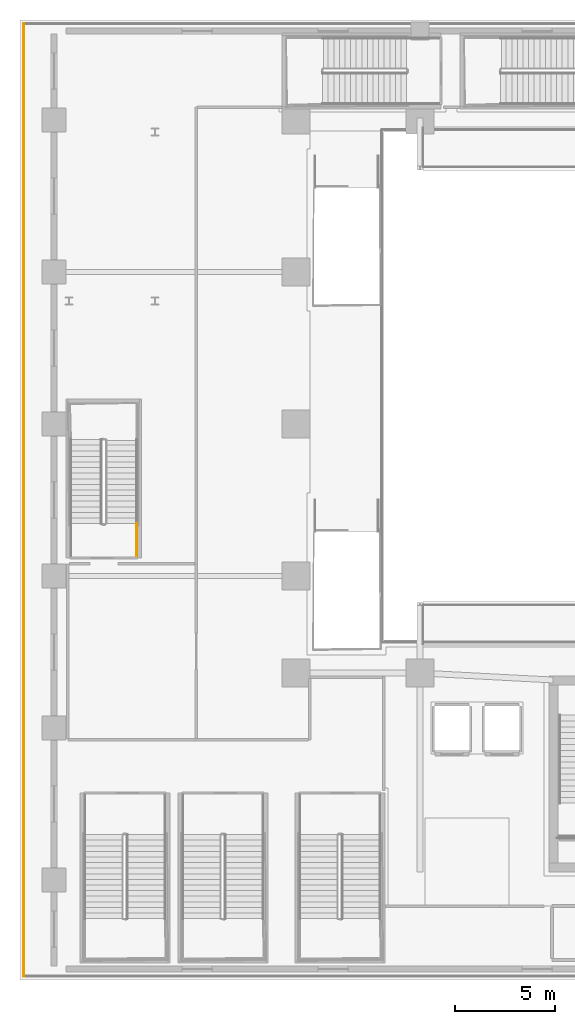
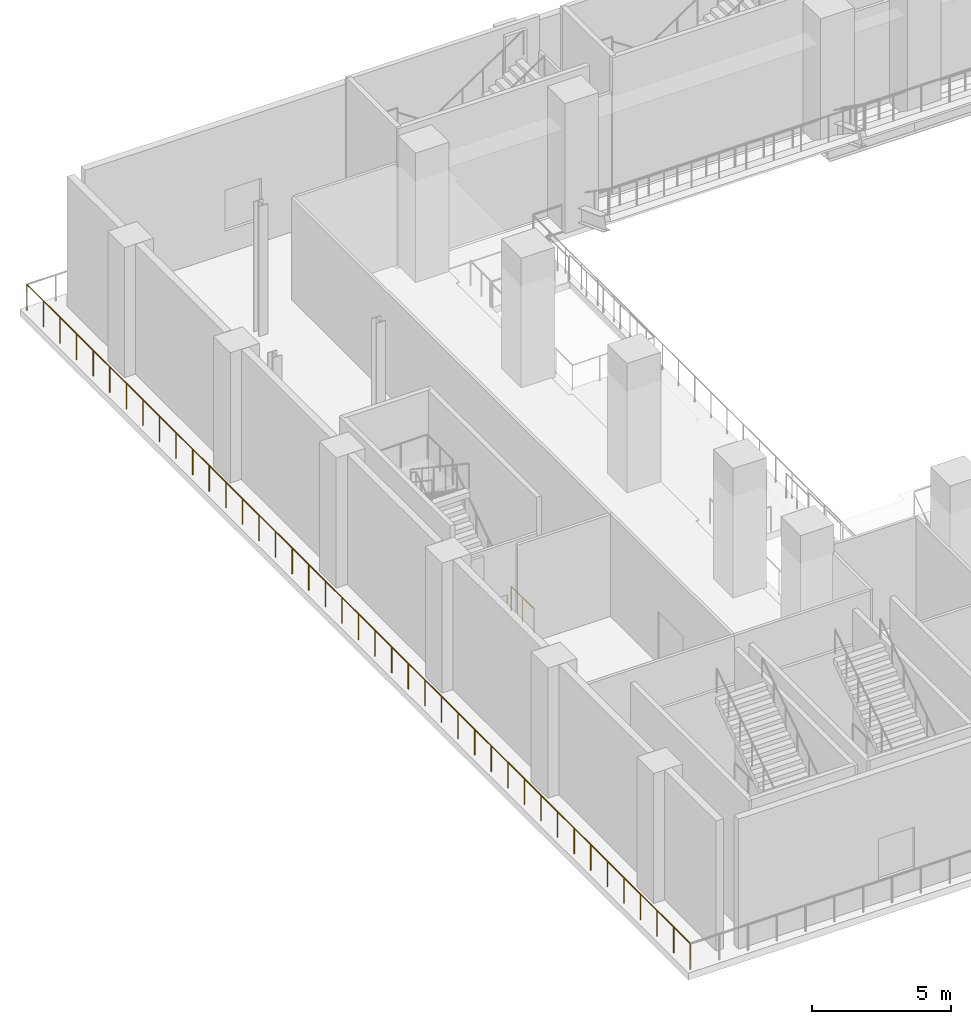
# One storey, part 16 of 28: 2 railings.
"""IFC4 building model written with IfcOpenShell, lengths in metres."""

import ifcopenshell
import ifcopenshell.guid

model = None  # the IFC model being written
_history = None  # IfcOwnerHistory: only IFC2X3 demands one
_inside = {}  # id of a spatial element -> (the spatial element, [elements in it])
_under = {}  # id of a project, library or spatial element -> (it, [spatial elements below it])
_declared = {}  # id of a project -> (the project, [libraries it declares])
_typed = {}  # id of a type object -> (the type object, [elements of that type])
_made_of = {}  # id of a material, layer set ... -> (it, [elements and type objects made of it])


def new_model(schema):
    """Start an empty IFC model of exactly this schema.

    Asked for "IFC4X3", IfcOpenShell would pick the latest addendum, in which some entities
    have other attributes; the version numbers below select the first issue.
    IFC2X3 requires an IfcOwnerHistory on every rooted entity: one is made here for all.
    """
    global model, _history
    if schema == "IFC4X3":
        model = ifcopenshell.file(schema_version=(4, 3, 0, 0))
    else:
        model = ifcopenshell.file(schema=schema)
    _inside.clear()
    _under.clear()
    _declared.clear()
    _typed.clear()
    _made_of.clear()
    _history = None
    if model.schema == "IFC2X3":
        org = make("IfcOrganization", Name="unknown")
        user = make(
            "IfcPersonAndOrganization",
            ThePerson=make("IfcPerson", FamilyName="unknown"),
            TheOrganization=org,
        )
        app = make(
            "IfcApplication",
            ApplicationDeveloper=org,
            Version="unknown",
            ApplicationFullName="unknown",
            ApplicationIdentifier="unknown",
        )
        _history = make(
            "IfcOwnerHistory",
            OwningUser=user,
            OwningApplication=app,
            ChangeAction="ADDED",
            CreationDate=0,
        )
    return model


def make(cls, **values):
    """One entity of the class cls with the attributes given. An attribute that is None is left unset."""
    return model.create_entity(
        cls, **{name: value for name, value in values.items() if value is not None}
    )


def rooted(cls, **values):
    """An entity with a GlobalId (a new one), such as an element, a storey or a relation."""
    return make(cls, GlobalId=ifcopenshell.guid.new(), OwnerHistory=_history, **values)


def si_unit(unit_type, name, prefix=None):
    """IfcSIUnit, for example si_unit("LENGTHUNIT", "METRE", prefix="MILLI")."""
    return make("IfcSIUnit", UnitType=unit_type, Prefix=prefix, Name=name)


def assignment(units):
    """IfcUnitAssignment: the units of a project."""
    return None if units is None else make("IfcUnitAssignment", Units=units)


def point(xyz):
    """IfcCartesianPoint."""
    return None if xyz is None else make("IfcCartesianPoint", Coordinates=xyz)


def direction(xyz):
    """IfcDirection."""
    return None if xyz is None else make("IfcDirection", DirectionRatios=xyz)


def frame(location, z_axis=None, x_axis=None):
    """IfcAxis2Placement3D, a coordinate frame: its origin and axes. An axis left out is left unset."""
    return make(
        "IfcAxis2Placement3D",
        Location=point(location),
        Axis=direction(z_axis),
        RefDirection=direction(x_axis),
    )


def frame_2d(location, x_axis=None):
    """IfcAxis2Placement2D, a coordinate frame in the plane: its origin and x axis."""
    return make(
        "IfcAxis2Placement2D", Location=point(location), RefDirection=direction(x_axis)
    )


def origin():
    """The frame at (0, 0, 0) with its axes left unset."""
    return frame((0.0, 0.0, 0.0))


def origin_2d():
    """The frame at (0, 0) in the plane with its x axis left unset."""
    return frame_2d((0.0, 0.0))


def place(relative_to, where):
    """IfcLocalPlacement: puts the frame where relative to a parent placement (None: the world)."""
    return make(
        "IfcLocalPlacement", PlacementRelTo=relative_to, RelativePlacement=where
    )


def context(
    kind, dimensions, precision=None, world=None, true_north=None, identifier=None
):
    """IfcGeometricRepresentationContext, for example the 3D "Model" context."""
    return make(
        "IfcGeometricRepresentationContext",
        ContextIdentifier=identifier,
        ContextType=kind,
        CoordinateSpaceDimension=dimensions,
        Precision=precision,
        WorldCoordinateSystem=world,
        TrueNorth=true_north,
    )


def subcontext(parent, identifier, kind, view, scale=None):
    """IfcGeometricRepresentationSubContext, for example "Body" below "Model"."""
    return make(
        "IfcGeometricRepresentationSubContext",
        ContextIdentifier=identifier,
        ContextType=kind,
        ParentContext=parent,
        TargetScale=scale,
        TargetView=view,
    )


def project(units=None, contexts=None):
    """IfcProject with its units and contexts."""
    return rooted(
        "IfcProject",
        Name="project",
        RepresentationContexts=contexts,
        UnitsInContext=assignment(units),
    )


def spatial(cls, under=None, at=None, **own):
    """A site, building, storey or space (cls), placed at a placement, below another one or the project."""
    s = rooted(cls, ObjectPlacement=at, **own)
    if under is not None:
        _under.setdefault(under.id(), (under, []))[1].append(s)
    return s


def profile(cls, at=None, kind="AREA", **sizes):
    """A parametric profile (cls). Its sizes go by their IFC names, for example OverallWidth=200.0."""
    return make(cls, ProfileType=kind, Position=at, **sizes)


def circle(**sizes):
    """IfcCircleProfileDef."""
    return profile("IfcCircleProfileDef", **sizes)


def extrude(swept, where, along, depth):
    """IfcExtrudedAreaSolid: the profile swept, set in the frame where, extruded along a direction by depth."""
    return make(
        "IfcExtrudedAreaSolid",
        SweptArea=swept,
        Position=where,
        ExtrudedDirection=direction(along),
        Depth=depth,
    )


def shape(context_of_items, identifier, shape_type, items):
    """IfcShapeRepresentation: the items that make up one representation, for example the "Body"."""
    return make(
        "IfcShapeRepresentation",
        ContextOfItems=context_of_items,
        RepresentationIdentifier=identifier,
        RepresentationType=shape_type,
        Items=items,
    )


def material(Name=None, Category=None):
    """IfcMaterial."""
    return make("IfcMaterial", Name=Name, Category=Category)


def layer(
    of_material, thickness, ventilated=None, Name=None, Category=None, Priority=None
):
    """IfcMaterialLayer: one layer of a wall or slab, of a material (None: an air gap)."""
    return make(
        "IfcMaterialLayer",
        Material=of_material,
        LayerThickness=thickness,
        IsVentilated=ventilated,
        Name=Name,
        Category=Category,
        Priority=Priority,
    )


def layer_set(layers, Name=None):
    """IfcMaterialLayerSet."""
    return make("IfcMaterialLayerSet", MaterialLayers=layers, LayerSetName=Name)


def made_of(thing, what):
    """Note that an element or type object is made of a material, layer set ...; save() writes the relation."""
    if what is not None:
        _made_of.setdefault(what.id(), (what, []))[1].append(thing)
    return thing


def type_object(cls, material=None, **own):
    """A type object (cls), such as IfcWallType, which elements share."""
    return made_of(rooted(cls, **own), material)


def element(
    cls,
    number,
    at=None,
    inside=None,
    cuts=None,
    type_object=None,
    material=None,
    context=None,
    identifier="Body",
    shape_type=None,
    held_by="IfcProductDefinitionShape",
    body=None,
    shapes=None,
    **own,
):
    """One element of the class cls, such as IfcWall. Its Tag is "e" and its number.

    at: its placement. inside: the storey or other place that contains it. cuts: it is an
    opening in that element (IfcRelVoidsElement). A single representation is given by context,
    identifier, shape_type and body (its items); several are given by shapes. held_by: the class
    of the entity that holds the representations. save() writes the other relations.
    """
    e = rooted(cls, Tag="e%d" % number, ObjectPlacement=at, **own)
    if body is not None:
        shapes = [shape(context, identifier, shape_type, body)]
    if shapes is not None:
        e.Representation = make(held_by, Representations=shapes)
    if inside is not None:
        _inside.setdefault(inside.id(), (inside, []))[1].append(e)
    if cuts is not None:
        rooted(
            "IfcRelVoidsElement", RelatingBuildingElement=cuts, RelatedOpeningElement=e
        )
    if type_object is not None:
        _typed.setdefault(type_object.id(), (type_object, []))[1].append(e)
    return made_of(e, material)


def aggregate(whole, parts):
    """IfcRelAggregates: a whole, such as a stair, and the parts it consists of."""
    return rooted("IfcRelAggregates", RelatingObject=whole, RelatedObjects=parts)


def save(model, path):
    """Write the relations noted so far, then the file.

    IfcRelAggregates (storeys below a building ...), IfcRelContainedInSpatialStructure (elements
    in a storey), IfcRelDefinesByType, IfcRelAssociatesMaterial and IfcRelDeclares: one each for
    every whole, place, type object, material and project.
    """
    for whole, parts in _under.values():
        aggregate(whole, parts)
    for where, things in _inside.values():
        rooted(
            "IfcRelContainedInSpatialStructure",
            RelatedElements=things,
            RelatingStructure=where,
        )
    for kind, things in _typed.values():
        rooted("IfcRelDefinesByType", RelatedObjects=things, RelatingType=kind)
    for what, things in _made_of.values():
        rooted("IfcRelAssociatesMaterial", RelatedObjects=things, RelatingMaterial=what)
    for by, libraries in _declared.values():
        rooted("IfcRelDeclares", RelatingContext=by, RelatedDefinitions=libraries)
    model.write(path)


model = new_model("IFC4")

# Units and contexts
model_context = context("Model", 3, precision=1e-05, world=origin(), true_north=direction((0.0, 1.0)))
body_context = subcontext(model_context, "Body", "Model", "MODEL_VIEW")
ifc_project = project(units=[si_unit("LENGTHUNIT", "METRE"), si_unit("AREAUNIT", "SQUARE_METRE"), si_unit("VOLUMEUNIT", "CUBIC_METRE"), si_unit("PLANEANGLEUNIT", "RADIAN"), si_unit("MASSUNIT", "GRAM", prefix="KILO")], contexts=[model_context])

# Site, building, storey
site_placement = place(None, origin())
site = spatial("IfcSite", under=ifc_project, at=site_placement, CompositionType="ELEMENT")
building_placement = place(site_placement, origin())
building = spatial("IfcBuilding", under=site, at=building_placement, Name="Ndaravel Arena Tower", CompositionType="ELEMENT")
storey_placement = place(building_placement, frame((0.0, 0.0, 18.0)))
storey = spatial("IfcBuildingStorey", under=building, at=storey_placement, Name="L03", CompositionType="ELEMENT", Elevation=18.0)

# Railings
ifc_material_1 = material(Name="Steel S355", Category="steel")
ifc_layer_1 = layer(ifc_material_1, 0.06005859375)
ifc_layer_set_1 = layer_set([ifc_layer_1], Name="Steel S355")
railing_type_1 = type_object("IfcRailingType", Name="RAIL-STAIR-GD1100", PredefinedType="GUARDRAIL", material=ifc_layer_set_1)
railing_1_placement = place(storey_placement, frame((5.830078125, 21.199951171875, 0.0)))
element("IfcRailing", 1, at=railing_1_placement, inside=storey, type_object=railing_type_1, Name="L03 ST-A07 stair guard 5", PredefinedType="GUARDRAIL", context=body_context, shape_type="SweptSolid", body=[
    extrude(circle(Radius=0.02392578125, at=origin_2d()), frame((0.0, 0.0, 1.076171875), z_axis=(0.0, 1.0, 0.0), x_axis=(-1.0, 0.0, 0.0)), (0.0, 0.0, 1.0), 1.6201171875),
    extrude(circle(Radius=0.02099609375, at=origin_2d()), origin(), (0.0, 0.0, 1.0), 1.052001953125),
    extrude(circle(Radius=0.02099609375, at=origin_2d()), frame((0.0, 0.81005859375, 0.0)), (0.0, 0.0, 1.0), 1.052001953125),
    extrude(circle(Radius=0.02099609375, at=origin_2d()), frame((0.0, 1.6201171875, 0.0)), (0.0, 0.0, 1.0), 1.052001953125),
])
ifc_material_2 = material(Name="Glazing", Category="glass")
ifc_layer_2 = layer(ifc_material_2, 0.070068359375)
ifc_layer_set_2 = layer_set([ifc_layer_2], Name="Glazing")
railing_type_2 = type_object("IfcRailingType", Name="RAIL-TERRACE-1150", PredefinedType="BALUSTRADE", material=ifc_layer_set_2)
railing_2_placement = place(storey_placement, frame((0.179931640625, 47.820068359375, 0.0)))
element("IfcRailing", 2, at=railing_2_placement, inside=storey, type_object=railing_type_2, Name="L03 Podium Perimeter Edge Guard 4", PredefinedType="BALUSTRADE", context=body_context, shape_type="SweptSolid", body=[
    extrude(circle(Radius=0.02392578125, at=origin_2d()), frame((0.0, 0.0, 1.1259765625), z_axis=(0.0, -1.0, 0.0), x_axis=(1.0, 0.0, 0.0)), (0.0, 0.0, 1.0), 47.64013671875),
    extrude(circle(Radius=0.02099609375, at=origin_2d()), origin(), (0.0, 0.0, 1.0), 1.101806640625),
    extrude(circle(Radius=0.02099609375, at=origin_2d()), frame((0.0, -1.19091796875, 0.0)), (0.0, 0.0, 1.0), 1.101806640625),
    extrude(circle(Radius=0.02099609375, at=origin_2d()), frame((0.0, -2.382080078125, 0.0)), (0.0, 0.0, 1.0), 1.101806640625),
    extrude(circle(Radius=0.02099609375, at=origin_2d()), frame((0.0, -3.572998046875, 0.0)), (0.0, 0.0, 1.0), 1.101806640625),
    extrude(circle(Radius=0.02099609375, at=origin_2d()), frame((0.0, -4.763916015625, 0.0)), (0.0, 0.0, 1.0), 1.101806640625),
    extrude(circle(Radius=0.02099609375, at=origin_2d()), frame((0.0, -5.955078125, 0.0)), (0.0, 0.0, 1.0), 1.101806640625),
    extrude(circle(Radius=0.02099609375, at=origin_2d()), frame((0.0, -7.14599609375, 0.0)), (0.0, 0.0, 1.0), 1.101806640625),
    extrude(circle(Radius=0.02099609375, at=origin_2d()), frame((0.0, -8.3369140625, 0.0)), (0.0, 0.0, 1.0), 1.101806640625),
    extrude(circle(Radius=0.02099609375, at=origin_2d()), frame((0.0, -9.528076171875, 0.0)), (0.0, 0.0, 1.0), 1.101806640625),
    extrude(circle(Radius=0.02099609375, at=origin_2d()), frame((0.0, -10.718994140625, 0.0)), (0.0, 0.0, 1.0), 1.101806640625),
    extrude(circle(Radius=0.02099609375, at=origin_2d()), frame((0.0, -11.91015625, 0.0)), (0.0, 0.0, 1.0), 1.101806640625),
    extrude(circle(Radius=0.02099609375, at=origin_2d()), frame((0.0, -13.10107421875, 0.0)), (0.0, 0.0, 1.0), 1.101806640625),
    extrude(circle(Radius=0.02099609375, at=origin_2d()), frame((0.0, -14.2919921875, 0.0)), (0.0, 0.0, 1.0), 1.101806640625),
    extrude(circle(Radius=0.02099609375, at=origin_2d()), frame((0.0, -15.483154296875, 0.0)), (0.0, 0.0, 1.0), 1.101806640625),
    extrude(circle(Radius=0.02099609375, at=origin_2d()), frame((0.0, -16.674072265625, 0.0)), (0.0, 0.0, 1.0), 1.101806640625),
    extrude(circle(Radius=0.02099609375, at=origin_2d()), frame((0.0, -17.864990234375, 0.0)), (0.0, 0.0, 1.0), 1.101806640625),
    extrude(circle(Radius=0.02099609375, at=origin_2d()), frame((0.0, -19.05615234375, 0.0)), (0.0, 0.0, 1.0), 1.101806640625),
    extrude(circle(Radius=0.02099609375, at=origin_2d()), frame((0.0, -20.2470703125, 0.0)), (0.0, 0.0, 1.0), 1.101806640625),
    extrude(circle(Radius=0.02099609375, at=origin_2d()), frame((0.0, -21.43798828125, 0.0)), (0.0, 0.0, 1.0), 1.101806640625),
    extrude(circle(Radius=0.02099609375, at=origin_2d()), frame((0.0, -22.629150390625, 0.0)), (0.0, 0.0, 1.0), 1.101806640625),
    extrude(circle(Radius=0.02099609375, at=origin_2d()), frame((0.0, -23.820068359375, 0.0)), (0.0, 0.0, 1.0), 1.101806640625),
    extrude(circle(Radius=0.02099609375, at=origin_2d()), frame((0.0, -25.010986328125, 0.0)), (0.0, 0.0, 1.0), 1.101806640625),
    extrude(circle(Radius=0.02099609375, at=origin_2d()), frame((0.0, -26.2021484375, 0.0)), (0.0, 0.0, 1.0), 1.101806640625),
    extrude(circle(Radius=0.02099609375, at=origin_2d()), frame((0.0, -27.39306640625, 0.0)), (0.0, 0.0, 1.0), 1.101806640625),
    extrude(circle(Radius=0.02099609375, at=origin_2d()), frame((0.0, -28.583984375, 0.0)), (0.0, 0.0, 1.0), 1.101806640625),
    extrude(circle(Radius=0.02099609375, at=origin_2d()), frame((0.0, -29.775146484375, 0.0)), (0.0, 0.0, 1.0), 1.101806640625),
    extrude(circle(Radius=0.02099609375, at=origin_2d()), frame((0.0, -30.966064453125, 0.0)), (0.0, 0.0, 1.0), 1.101806640625),
    extrude(circle(Radius=0.02099609375, at=origin_2d()), frame((0.0, -32.156982421875, 0.0)), (0.0, 0.0, 1.0), 1.101806640625),
    extrude(circle(Radius=0.02099609375, at=origin_2d()), frame((0.0, -33.34814453125, 0.0)), (0.0, 0.0, 1.0), 1.101806640625),
    extrude(circle(Radius=0.02099609375, at=origin_2d()), frame((0.0, -34.5390625, 0.0)), (0.0, 0.0, 1.0), 1.101806640625),
    extrude(circle(Radius=0.02099609375, at=origin_2d()), frame((0.0, -35.72998046875, 0.0)), (0.0, 0.0, 1.0), 1.101806640625),
    extrude(circle(Radius=0.02099609375, at=origin_2d()), frame((0.0, -36.921142578125, 0.0)), (0.0, 0.0, 1.0), 1.101806640625),
    extrude(circle(Radius=0.02099609375, at=origin_2d()), frame((0.0, -38.112060546875, 0.0)), (0.0, 0.0, 1.0), 1.101806640625),
    extrude(circle(Radius=0.02099609375, at=origin_2d()), frame((0.0, -39.30322265625, 0.0)), (0.0, 0.0, 1.0), 1.101806640625),
    extrude(circle(Radius=0.02099609375, at=origin_2d()), frame((0.0, -40.494140625, 0.0)), (0.0, 0.0, 1.0), 1.101806640625),
    extrude(circle(Radius=0.02099609375, at=origin_2d()), frame((0.0, -41.68505859375, 0.0)), (0.0, 0.0, 1.0), 1.101806640625),
    extrude(circle(Radius=0.02099609375, at=origin_2d()), frame((0.0, -42.876220703125, 0.0)), (0.0, 0.0, 1.0), 1.101806640625),
    extrude(circle(Radius=0.02099609375, at=origin_2d()), frame((0.0, -44.067138671875, 0.0)), (0.0, 0.0, 1.0), 1.101806640625),
    extrude(circle(Radius=0.02099609375, at=origin_2d()), frame((0.0, -45.258056640625, 0.0)), (0.0, 0.0, 1.0), 1.101806640625),
    extrude(circle(Radius=0.02099609375, at=origin_2d()), frame((0.0, -46.44921875, 0.0)), (0.0, 0.0, 1.0), 1.101806640625),
    extrude(circle(Radius=0.02099609375, at=origin_2d()), frame((0.0, -47.64013671875, 0.0)), (0.0, 0.0, 1.0), 1.101806640625),
])

save(model, "model.ifc")
